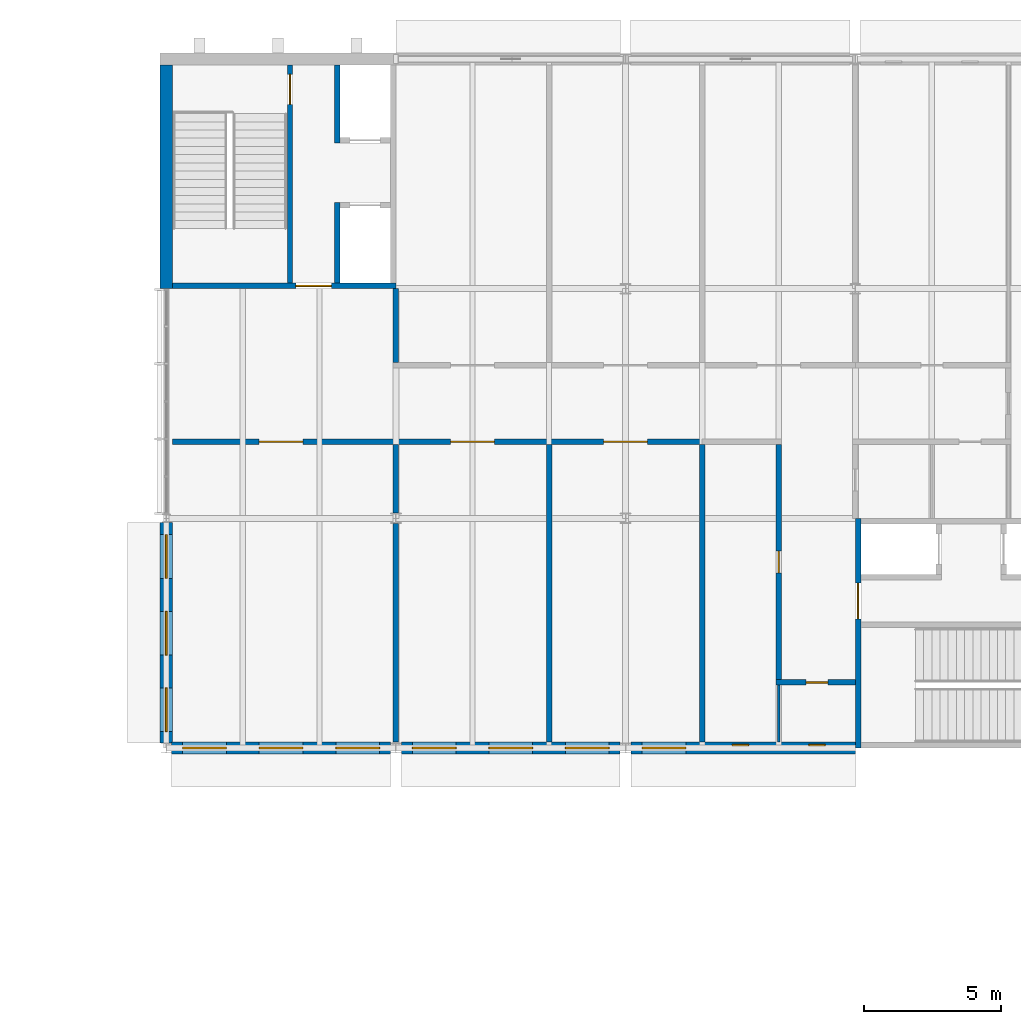
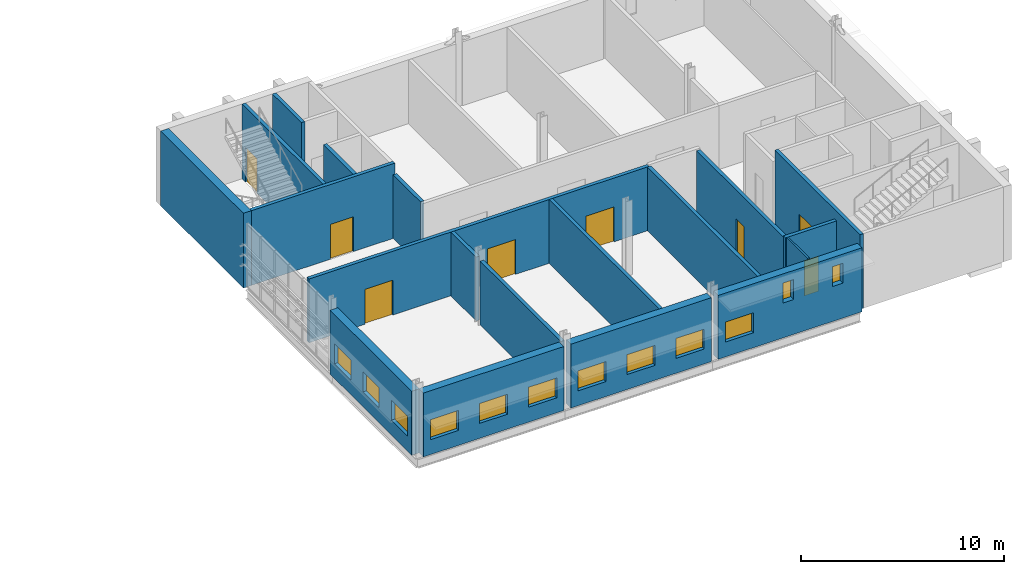
# One storey, part 29 of 42: 19 walls, 12 windows, 8 doors, 20 openings.
"""IFC4 building model written with IfcOpenShell, lengths in metres."""

from ifc_helpers import new_model, si_unit, direction, frame, frame_2d, origin, place, context, subcontext, project, spatial, rectangle, extrude, material, layer, layer_set, type_object, element, fill, save


model = new_model("IFC4")

# Units and contexts
model_context = context("Model", 3, precision=1e-05, world=origin(), true_north=direction((0.0, 1.0)))
body_context = subcontext(model_context, "Body", "Model", "MODEL_VIEW")
ifc_project = project(units=[si_unit("LENGTHUNIT", "METRE"), si_unit("AREAUNIT", "SQUARE_METRE"), si_unit("VOLUMEUNIT", "CUBIC_METRE"), si_unit("PLANEANGLEUNIT", "RADIAN"), si_unit("MASSUNIT", "GRAM", prefix="KILO")], contexts=[model_context])

# Site, building, storey
site_placement = place(None, origin())
site = spatial("IfcSite", under=ifc_project, at=site_placement, CompositionType="ELEMENT")
building_placement = place(site_placement, origin())
building = spatial("IfcBuilding", under=site, at=building_placement, Name="Ardhachandra Cancer Care Centre", CompositionType="ELEMENT")
storey_placement = place(building_placement, frame((0.0, 0.0, 22.5)))
storey = spatial("IfcBuildingStorey", under=building, at=storey_placement, Name="L05", CompositionType="ELEMENT", Elevation=22.5)

# Wall, openings, windows
ifc_material_1 = material(Name="Brick masonry (clay brick, cement mortar) with mineral wool cavity insulation", Category="masonry")
ifc_layer_1 = layer(ifc_material_1, 0.449951171875)
ifc_layer_set_1 = layer_set([ifc_layer_1], Name="Brick masonry (clay brick, cement mortar) with mineral wool cavity insulation")
wall_type_1 = type_object("IfcWallType", Name="Brick wall 450", PredefinedType="SOLIDWALL", material=ifc_layer_set_1)
wall_1_placement = place(storey_placement, frame((111.797607421875, 79.800048828125, 0.0), z_axis=(0.0, 0.0, 1.0), x_axis=(1.0, 0.0, 0.0)))
wall_1 = element("IfcWall", 1, at=wall_1_placement, inside=storey, type_object=wall_type_1, Name="E/wall/L05/s/0111600_0079800", PredefinedType="SOLIDWALL", context=body_context, shape_type="SweptSolid", body=[
    extrude(rectangle(XDim=8.0048828125, YDim=0.449951171875, at=frame_2d((4.00244140625, 0.0))), origin(), (0.0, 0.0, 1.0), 3.85009765625),
])
opening_1_placement = place(wall_1_placement, frame((0.402587890625, 0.0, 0.89990234375)))
opening_1 = element("IfcOpeningElement", 2, at=opening_1_placement, cuts=wall_1, Name="Opening W5", PredefinedType="OPENING", context=body_context, shape_type="SweptSolid", body=[
    extrude(rectangle(XDim=1.60009765625, YDim=1.199951171875, at=frame_2d((0.800048828125, 0.60009765625))), frame((0.0, 0.23486328125, 0.0), z_axis=(0.0, -1.0, 0.0), x_axis=(1.0, 0.0, 0.0)), (0.0, 0.0, 1.0), 0.469970703125),
])
opening_2_placement = place(wall_1_placement, frame((3.202392578125, 0.0, 0.89990234375)))
opening_2 = element("IfcOpeningElement", 3, at=opening_2_placement, cuts=wall_1, Name="Opening W5", PredefinedType="OPENING", context=body_context, shape_type="SweptSolid", body=[
    extrude(rectangle(XDim=1.60009765625, YDim=1.199951171875, at=frame_2d((0.800048828125, 0.60009765625))), frame((0.0, 0.23486328125, 0.0), z_axis=(0.0, -1.0, 0.0), x_axis=(1.0, 0.0, 0.0)), (0.0, 0.0, 1.0), 0.469970703125),
])
opening_3_placement = place(wall_1_placement, frame((6.00244140625, 0.0, 0.89990234375)))
opening_3 = element("IfcOpeningElement", 4, at=opening_3_placement, cuts=wall_1, Name="Opening W5", PredefinedType="OPENING", context=body_context, shape_type="SweptSolid", body=[
    extrude(rectangle(XDim=1.60009765625, YDim=1.199951171875, at=frame_2d((0.800048828125, 0.60009765625))), frame((0.0, 0.23486328125, 0.0), z_axis=(0.0, -1.0, 0.0), x_axis=(1.0, 0.0, 0.0)), (0.0, 0.0, 1.0), 0.469970703125),
])
ifc_material_2 = material(Name="Aluminium frame with double-glazed unit", Category="aluminium")
window_type_1 = type_object("IfcWindowType", Name="Plant louvre window 1600 x 1200", PartitioningType="SINGLE_PANEL", PredefinedType="WINDOW", material=ifc_material_2)
window_1_placement = place(opening_1_placement, origin())
window_1 = element("IfcWindow", 5, at=window_1_placement, inside=storey, type_object=window_type_1, Name="W5 window L05 s/0111600_0079800 1", OverallHeight=1.199951171875, OverallWidth=1.60009765625, PartitioningType="SINGLE_PANEL", PredefinedType="WINDOW", context=body_context, shape_type="SweptSolid", body=[
    extrude(rectangle(XDim=1.60009765625, YDim=1.199951171875, at=frame_2d((0.800048828125, 0.60009765625))), frame((0.0, 0.030029296875, 0.0), z_axis=(0.0, -1.0, 0.0), x_axis=(1.0, 0.0, 0.0)), (0.0, 0.0, 1.0), 0.06005859375),
])
fill(opening_1, window_1)
window_2_placement = place(opening_2_placement, origin())
window_2 = element("IfcWindow", 6, at=window_2_placement, inside=storey, type_object=window_type_1, Name="W5 window L05 s/0111600_0079800 2", OverallHeight=1.199951171875, OverallWidth=1.60009765625, PartitioningType="SINGLE_PANEL", PredefinedType="WINDOW", context=body_context, shape_type="SweptSolid", body=[
    extrude(rectangle(XDim=1.60009765625, YDim=1.199951171875, at=frame_2d((0.800048828125, 0.60009765625))), frame((0.0, 0.030029296875, 0.0), z_axis=(0.0, -1.0, 0.0), x_axis=(1.0, 0.0, 0.0)), (0.0, 0.0, 1.0), 0.06005859375),
])
fill(opening_2, window_2)
window_3_placement = place(opening_3_placement, origin())
window_3 = element("IfcWindow", 7, at=window_3_placement, inside=storey, type_object=window_type_1, Name="W5 window L05 s/0111600_0079800 3", OverallHeight=1.199951171875, OverallWidth=1.60009765625, PartitioningType="SINGLE_PANEL", PredefinedType="WINDOW", context=body_context, shape_type="SweptSolid", body=[
    extrude(rectangle(XDim=1.60009765625, YDim=1.199951171875, at=frame_2d((0.800048828125, 0.60009765625))), frame((0.0, 0.030029296875, 0.0), z_axis=(0.0, -1.0, 0.0), x_axis=(1.0, 0.0, 0.0)), (0.0, 0.0, 1.0), 0.06005859375),
])
fill(opening_3, window_3)

wall_2_placement = place(storey_placement, frame((120.197509765625, 79.800048828125, 0.0), z_axis=(0.0, 0.0, 1.0), x_axis=(1.0, 0.0, 0.0)))
wall_2 = element("IfcWall", 8, at=wall_2_placement, inside=storey, type_object=wall_type_1, Name="E/wall/L05/s/0120000_0079800", PredefinedType="SOLIDWALL", context=body_context, shape_type="SweptSolid", body=[
    extrude(rectangle(XDim=8.0048828125, YDim=0.449951171875, at=frame_2d((4.00244140625, 0.0))), origin(), (0.0, 0.0, 1.0), 3.85009765625),
])
opening_4_placement = place(wall_2_placement, frame((0.402587890625, 0.0, 0.89990234375)))
opening_4 = element("IfcOpeningElement", 9, at=opening_4_placement, cuts=wall_2, Name="Opening W5", PredefinedType="OPENING", context=body_context, shape_type="SweptSolid", body=[
    extrude(rectangle(XDim=1.60009765625, YDim=1.199951171875, at=frame_2d((0.800048828125, 0.60009765625))), frame((0.0, 0.23486328125, 0.0), z_axis=(0.0, -1.0, 0.0), x_axis=(1.0, 0.0, 0.0)), (0.0, 0.0, 1.0), 0.469970703125),
])
opening_5_placement = place(wall_2_placement, frame((3.202392578125, 0.0, 0.89990234375)))
opening_5 = element("IfcOpeningElement", 10, at=opening_5_placement, cuts=wall_2, Name="Opening W5", PredefinedType="OPENING", context=body_context, shape_type="SweptSolid", body=[
    extrude(rectangle(XDim=1.60009765625, YDim=1.199951171875, at=frame_2d((0.800048828125, 0.60009765625))), frame((0.0, 0.23486328125, 0.0), z_axis=(0.0, -1.0, 0.0), x_axis=(1.0, 0.0, 0.0)), (0.0, 0.0, 1.0), 0.469970703125),
])
opening_6_placement = place(wall_2_placement, frame((6.00244140625, 0.0, 0.89990234375)))
opening_6 = element("IfcOpeningElement", 11, at=opening_6_placement, cuts=wall_2, Name="Opening W5", PredefinedType="OPENING", context=body_context, shape_type="SweptSolid", body=[
    extrude(rectangle(XDim=1.60009765625, YDim=1.199951171875, at=frame_2d((0.800048828125, 0.60009765625))), frame((0.0, 0.23486328125, 0.0), z_axis=(0.0, -1.0, 0.0), x_axis=(1.0, 0.0, 0.0)), (0.0, 0.0, 1.0), 0.469970703125),
])
window_4_placement = place(opening_4_placement, origin())
window_4 = element("IfcWindow", 12, at=window_4_placement, inside=storey, type_object=window_type_1, Name="W5 window L05 s/0120000_0079800 1", OverallHeight=1.199951171875, OverallWidth=1.60009765625, PartitioningType="SINGLE_PANEL", PredefinedType="WINDOW", context=body_context, shape_type="SweptSolid", body=[
    extrude(rectangle(XDim=1.60009765625, YDim=1.199951171875, at=frame_2d((0.800048828125, 0.60009765625))), frame((0.0, 0.030029296875, 0.0), z_axis=(0.0, -1.0, 0.0), x_axis=(1.0, 0.0, 0.0)), (0.0, 0.0, 1.0), 0.06005859375),
])
fill(opening_4, window_4)
window_5_placement = place(opening_5_placement, origin())
window_5 = element("IfcWindow", 13, at=window_5_placement, inside=storey, type_object=window_type_1, Name="W5 window L05 s/0120000_0079800 2", OverallHeight=1.199951171875, OverallWidth=1.60009765625, PartitioningType="SINGLE_PANEL", PredefinedType="WINDOW", context=body_context, shape_type="SweptSolid", body=[
    extrude(rectangle(XDim=1.60009765625, YDim=1.199951171875, at=frame_2d((0.800048828125, 0.60009765625))), frame((0.0, 0.030029296875, 0.0), z_axis=(0.0, -1.0, 0.0), x_axis=(1.0, 0.0, 0.0)), (0.0, 0.0, 1.0), 0.06005859375),
])
fill(opening_5, window_5)
window_6_placement = place(opening_6_placement, origin())
window_6 = element("IfcWindow", 14, at=window_6_placement, inside=storey, type_object=window_type_1, Name="W5 window L05 s/0120000_0079800 3", OverallHeight=1.199951171875, OverallWidth=1.60009765625, PartitioningType="SINGLE_PANEL", PredefinedType="WINDOW", context=body_context, shape_type="SweptSolid", body=[
    extrude(rectangle(XDim=1.60009765625, YDim=1.199951171875, at=frame_2d((0.800048828125, 0.60009765625))), frame((0.0, 0.030029296875, 0.0), z_axis=(0.0, -1.0, 0.0), x_axis=(1.0, 0.0, 0.0)), (0.0, 0.0, 1.0), 0.06005859375),
])
fill(opening_6, window_6)

wall_3_placement = place(storey_placement, frame((128.597412109375, 79.800048828125, 0.0), z_axis=(0.0, 0.0, 1.0), x_axis=(1.0, 0.0, 0.0)))
wall_3 = element("IfcWall", 15, at=wall_3_placement, inside=storey, type_object=wall_type_1, Name="E/wall/L05/s/0128400_0079800", PredefinedType="SOLIDWALL", context=body_context, shape_type="SweptSolid", body=[
    extrude(rectangle(XDim=8.20263671875, YDim=0.449951171875, at=frame_2d((4.101318359375, 0.0))), origin(), (0.0, 0.0, 1.0), 3.85009765625),
])
opening_7_placement = place(wall_3_placement, frame((0.402587890625, 0.0, 0.89990234375)))
opening_7 = element("IfcOpeningElement", 16, at=opening_7_placement, cuts=wall_3, Name="Opening W5", PredefinedType="OPENING", context=body_context, shape_type="SweptSolid", body=[
    extrude(rectangle(XDim=1.60009765625, YDim=1.199951171875, at=frame_2d((0.800048828125, 0.60009765625))), frame((0.0, 0.23486328125, 0.0), z_axis=(0.0, -1.0, 0.0), x_axis=(1.0, 0.0, 0.0)), (0.0, 0.0, 1.0), 0.469970703125),
])
opening_8_placement = place(wall_3_placement, frame((3.702392578125, 0.0, 2.10009765625)))
opening_8 = element("IfcOpeningElement", 17, at=opening_8_placement, cuts=wall_3, Name="Opening W4", PredefinedType="OPENING", context=body_context, shape_type="SweptSolid", body=[
    extrude(rectangle(XDim=0.60009765625, YDim=1.199951171875, at=frame_2d((0.300048828125, 0.60009765625))), frame((0.0, 0.23486328125, 0.0), z_axis=(0.0, -1.0, 0.0), x_axis=(1.0, 0.0, 0.0)), (0.0, 0.0, 1.0), 0.469970703125),
])
opening_9_placement = place(wall_3_placement, frame((6.50244140625, 0.0, 2.10009765625)))
opening_9 = element("IfcOpeningElement", 18, at=opening_9_placement, cuts=wall_3, Name="Opening W4", PredefinedType="OPENING", context=body_context, shape_type="SweptSolid", body=[
    extrude(rectangle(XDim=0.60009765625, YDim=1.199951171875, at=frame_2d((0.300048828125, 0.60009765625))), frame((0.0, 0.23486328125, 0.0), z_axis=(0.0, -1.0, 0.0), x_axis=(1.0, 0.0, 0.0)), (0.0, 0.0, 1.0), 0.469970703125),
])
window_7_placement = place(opening_7_placement, origin())
window_7 = element("IfcWindow", 19, at=window_7_placement, inside=storey, type_object=window_type_1, Name="W5 window L05 s/0128400_0079800 1", OverallHeight=1.199951171875, OverallWidth=1.60009765625, PartitioningType="SINGLE_PANEL", PredefinedType="WINDOW", context=body_context, shape_type="SweptSolid", body=[
    extrude(rectangle(XDim=1.60009765625, YDim=1.199951171875, at=frame_2d((0.800048828125, 0.60009765625))), frame((0.0, 0.030029296875, 0.0), z_axis=(0.0, -1.0, 0.0), x_axis=(1.0, 0.0, 0.0)), (0.0, 0.0, 1.0), 0.06005859375),
])
fill(opening_7, window_7)
ifc_material_3 = material(Name="Aluminium frame with double-glazed unit", Category="aluminium")
window_type_2 = type_object("IfcWindowType", Name="Slot window 600 x 1200", PartitioningType="SINGLE_PANEL", PredefinedType="WINDOW", material=ifc_material_3)
window_8_placement = place(opening_8_placement, origin())
window_8 = element("IfcWindow", 20, at=window_8_placement, inside=storey, type_object=window_type_2, Name="W4 window L05 s/0128400_0079800 2", OverallHeight=1.199951171875, OverallWidth=0.60009765625, PartitioningType="SINGLE_PANEL", PredefinedType="WINDOW", context=body_context, shape_type="SweptSolid", body=[
    extrude(rectangle(XDim=0.60009765625, YDim=1.199951171875, at=frame_2d((0.300048828125, 0.60009765625))), frame((0.0, 0.135009765625, 0.0), z_axis=(0.0, -1.0, 0.0), x_axis=(1.0, 0.0, 0.0)), (0.0, 0.0, 1.0), 0.06005859375),
])
fill(opening_8, window_8)
window_9_placement = place(opening_9_placement, origin())
window_9 = element("IfcWindow", 21, at=window_9_placement, inside=storey, type_object=window_type_2, Name="W4 window L05 s/0128400_0079800 3", OverallHeight=1.199951171875, OverallWidth=0.60009765625, PartitioningType="SINGLE_PANEL", PredefinedType="WINDOW", context=body_context, shape_type="SweptSolid", body=[
    extrude(rectangle(XDim=0.60009765625, YDim=1.199951171875, at=frame_2d((0.300048828125, 0.60009765625))), frame((0.0, 0.135009765625, 0.0), z_axis=(0.0, -1.0, 0.0), x_axis=(1.0, 0.0, 0.0)), (0.0, 0.0, 1.0), 0.06005859375),
])
fill(opening_9, window_9)

wall_4_placement = place(storey_placement, frame((111.60009765625, 79.989990234375, 0.0), z_axis=(0.0, 0.0, 1.0), x_axis=(0.0, 1.0, 0.0)))
wall_4 = element("IfcWall", 22, at=wall_4_placement, inside=storey, type_object=wall_type_1, Name="E/wall/L05/w/0111600_0079800", PredefinedType="SOLIDWALL", context=body_context, shape_type="SweptSolid", body=[
    extrude(rectangle(XDim=8.06005859375, YDim=0.449951171875, at=frame_2d((4.030029296875, 0.0))), origin(), (0.0, 0.0, 1.0), 3.85009765625),
])
opening_10_placement = place(wall_4_placement, frame((0.409912109375, 0.0, 0.89990234375)))
opening_10 = element("IfcOpeningElement", 23, at=opening_10_placement, cuts=wall_4, Name="Opening W5", PredefinedType="OPENING", context=body_context, shape_type="SweptSolid", body=[
    extrude(rectangle(XDim=1.60009765625, YDim=1.199951171875, at=frame_2d((0.800048828125, 0.60009765625))), frame((0.0, 0.23486328125, 0.0), z_axis=(0.0, -1.0, 0.0), x_axis=(1.0, 0.0, 0.0)), (0.0, 0.0, 1.0), 0.469970703125),
])
opening_11_placement = place(wall_4_placement, frame((3.2099609375, 0.0, 0.89990234375)))
opening_11 = element("IfcOpeningElement", 24, at=opening_11_placement, cuts=wall_4, Name="Opening W5", PredefinedType="OPENING", context=body_context, shape_type="SweptSolid", body=[
    extrude(rectangle(XDim=1.60009765625, YDim=1.199951171875, at=frame_2d((0.800048828125, 0.60009765625))), frame((0.0, 0.23486328125, 0.0), z_axis=(0.0, -1.0, 0.0), x_axis=(1.0, 0.0, 0.0)), (0.0, 0.0, 1.0), 0.469970703125),
])
opening_12_placement = place(wall_4_placement, frame((6.010009765625, 0.0, 0.89990234375)))
opening_12 = element("IfcOpeningElement", 25, at=opening_12_placement, cuts=wall_4, Name="Opening W5", PredefinedType="OPENING", context=body_context, shape_type="SweptSolid", body=[
    extrude(rectangle(XDim=1.60009765625, YDim=1.199951171875, at=frame_2d((0.800048828125, 0.60009765625))), frame((0.0, 0.23486328125, 0.0), z_axis=(0.0, -1.0, 0.0), x_axis=(1.0, 0.0, 0.0)), (0.0, 0.0, 1.0), 0.469970703125),
])
window_10_placement = place(opening_10_placement, origin())
window_10 = element("IfcWindow", 26, at=window_10_placement, inside=storey, type_object=window_type_1, Name="W5 window L05 w/0111600_0079800 1", OverallHeight=1.199951171875, OverallWidth=1.60009765625, PartitioningType="SINGLE_PANEL", PredefinedType="WINDOW", context=body_context, shape_type="SweptSolid", body=[
    extrude(rectangle(XDim=1.60009765625, YDim=1.199951171875, at=frame_2d((0.800048828125, 0.60009765625))), frame((0.0, 0.030029296875, 0.0), z_axis=(0.0, -1.0, 0.0), x_axis=(1.0, 0.0, 0.0)), (0.0, 0.0, 1.0), 0.06005859375),
])
fill(opening_10, window_10)
window_11_placement = place(opening_11_placement, origin())
window_11 = element("IfcWindow", 27, at=window_11_placement, inside=storey, type_object=window_type_1, Name="W5 window L05 w/0111600_0079800 2", OverallHeight=1.199951171875, OverallWidth=1.60009765625, PartitioningType="SINGLE_PANEL", PredefinedType="WINDOW", context=body_context, shape_type="SweptSolid", body=[
    extrude(rectangle(XDim=1.60009765625, YDim=1.199951171875, at=frame_2d((0.800048828125, 0.60009765625))), frame((0.0, 0.030029296875, 0.0), z_axis=(0.0, -1.0, 0.0), x_axis=(1.0, 0.0, 0.0)), (0.0, 0.0, 1.0), 0.06005859375),
])
fill(opening_11, window_11)
window_12_placement = place(opening_12_placement, origin())
window_12 = element("IfcWindow", 28, at=window_12_placement, inside=storey, type_object=window_type_1, Name="W5 window L05 w/0111600_0079800 3", OverallHeight=1.199951171875, OverallWidth=1.60009765625, PartitioningType="SINGLE_PANEL", PredefinedType="WINDOW", context=body_context, shape_type="SweptSolid", body=[
    extrude(rectangle(XDim=1.60009765625, YDim=1.199951171875, at=frame_2d((0.800048828125, 0.60009765625))), frame((0.0, 0.030029296875, 0.0), z_axis=(0.0, -1.0, 0.0), x_axis=(1.0, 0.0, 0.0)), (0.0, 0.0, 1.0), 0.06005859375),
])
fill(opening_12, window_12)

# Wall, opening, door
ifc_material_4 = material(Name="Gypsum board corridor partition on steel studs", Category="steel")
ifc_layer_2 = layer(ifc_material_4, 0.199951171875)
ifc_layer_set_2 = layer_set([ifc_layer_2], Name="Gypsum board corridor partition on steel studs")
wall_type_2 = type_object("IfcWallType", Name="CORRIDOR WALL 200", PredefinedType="PARTITIONING", material=ifc_layer_set_2)
wall_5_placement = place(storey_placement, frame((133.89990234375, 82.199951171875, 0.0), z_axis=(0.0, 0.0, 1.0), x_axis=(1.0, 0.0, 0.0)))
wall_5 = element("IfcWall", 29, at=wall_5_placement, inside=storey, type_object=wall_type_2, Name="R/wall/L05/h0082200_0133900", PredefinedType="PARTITIONING", context=body_context, shape_type="SweptSolid", body=[
    extrude(rectangle(XDim=2.900146484375, YDim=0.199951171875, at=frame_2d((1.4501953125, 0.0))), origin(), (0.0, 0.0, 1.0), 3.93603515625),
])
opening_13_placement = place(wall_5_placement, frame((1.10009765625, 0.0, 0.0)))
opening_13 = element("IfcOpeningElement", 30, at=opening_13_placement, cuts=wall_5, Name="Opening L05-0001", PredefinedType="OPENING", context=body_context, shape_type="SweptSolid", body=[
    extrude(rectangle(XDim=0.800048828125, YDim=2.10009765625, at=frame_2d((0.39990234375, 1.050048828125))), frame((0.0, 0.10986328125, 0.0), z_axis=(0.0, -1.0, 0.0), x_axis=(1.0, 0.0, 0.0)), (0.0, 0.0, 1.0), 0.219970703125),
])
ifc_material_5 = material(Name="Timber flush fire door", Category="wood")
door_type_1 = type_object("IfcDoorType", Name="STORE DOOR 800x2100 FD30S", OperationType="NOTDEFINED", PredefinedType="DOOR", material=ifc_material_5)
door_1_placement = place(opening_13_placement, origin())
door_1 = element("IfcDoor", 31, at=door_1_placement, inside=storey, type_object=door_type_1, Name="Door L05-0001", OperationType="SINGLE_SWING_RIGHT", OverallHeight=2.10009765625, OverallWidth=0.800048828125, PredefinedType="DOOR", context=body_context, shape_type="SweptSolid", body=[
    extrude(rectangle(XDim=0.800048828125, YDim=2.10009765625, at=frame_2d((0.39990234375, 1.050048828125))), frame((0.0, 0.02490234375, 0.0), z_axis=(0.0, -1.0, 0.0), x_axis=(1.0, 0.0, 0.0)), (0.0, 0.0, 1.0), 0.050048828125),
])
fill(opening_13, door_1)

wall_6_placement = place(storey_placement, frame((134.0, 82.300048828125, 0.0), z_axis=(0.0, 0.0, 1.0), x_axis=(0.0, 1.0, 0.0)))
wall_6 = element("IfcWall", 32, at=wall_6_placement, inside=storey, type_object=wall_type_2, Name="R/wall/L05/v0134000_0082300", PredefinedType="PARTITIONING", context=body_context, shape_type="SweptSolid", body=[
    extrude(rectangle(XDim=8.599853515625, YDim=0.199951171875, at=frame_2d((4.2998046875, 0.0))), origin(), (0.0, 0.0, 1.0), 3.843994140625),
])
opening_14_placement = place(wall_6_placement, frame((3.89990234375, 0.0, 0.0)))
opening_14 = element("IfcOpeningElement", 33, at=opening_14_placement, cuts=wall_6, Name="Opening L05-0010", PredefinedType="OPENING", context=body_context, shape_type="SweptSolid", body=[
    extrude(rectangle(XDim=0.800048828125, YDim=2.10009765625, at=frame_2d((0.39990234375, 1.050048828125))), frame((0.0, 0.10986328125, 0.0), z_axis=(0.0, -1.0, 0.0), x_axis=(1.0, 0.0, 0.0)), (0.0, 0.0, 1.0), 0.219970703125),
])
door_2_placement = place(opening_14_placement, origin())
door_2 = element("IfcDoor", 34, at=door_2_placement, inside=storey, type_object=door_type_1, Name="Door L05-0010", OperationType="SINGLE_SWING_RIGHT", OverallHeight=2.10009765625, OverallWidth=0.800048828125, PredefinedType="DOOR", context=body_context, shape_type="SweptSolid", body=[
    extrude(rectangle(XDim=0.800048828125, YDim=2.10009765625, at=frame_2d((0.39990234375, 1.050048828125))), frame((0.0, 0.02490234375, 0.0), z_axis=(0.0, -1.0, 0.0), x_axis=(1.0, 0.0, 0.0)), (0.0, 0.0, 1.0), 0.050048828125),
])
fill(opening_14, door_2)

# Wall
ifc_material_6 = material(Name="Concrete M40", Category="concrete")
ifc_layer_3 = layer(ifc_material_6, 0.449951171875)
ifc_layer_set_3 = layer_set([ifc_layer_3], Name="Concrete M40")
wall_type_3 = type_object("IfcWallType", Name="Core exterior wall RC 450", PredefinedType="SOLIDWALL", material=ifc_layer_set_3)
wall_7_placement = place(storey_placement, frame((111.60009765625, 96.60009765625, 0.0), z_axis=(0.0, 0.0, 1.0), x_axis=(0.0, 1.0, 0.0)))
element("IfcWall", 35, at=wall_7_placement, inside=storey, type_object=wall_type_3, Name="Core wall K12 UW", PredefinedType="SOLIDWALL", context=body_context, shape_type="SweptSolid", body=[
    extrude(rectangle(XDim=8.1748046875, YDim=0.449951171875, at=frame_2d((4.08740234375, 0.0))), origin(), (0.0, 0.0, 1.0), 4.5),
])

# Wall, opening, door
ifc_material_7 = material(Name="Concrete M40", Category="concrete")
ifc_layer_4 = layer(ifc_material_7, 0.199951171875)
ifc_layer_set_4 = layer_set([ifc_layer_4], Name="Concrete M40")
wall_type_4 = type_object("IfcWallType", Name="Core wall RC 200", PredefinedType="SOLIDWALL", material=ifc_layer_set_4)
wall_8_placement = place(storey_placement, frame((111.824951171875, 96.699951171875, 0.0), z_axis=(0.0, 0.0, 1.0), x_axis=(1.0, 0.0, 0.0)))
wall_8 = element("IfcWall", 36, at=wall_8_placement, inside=storey, type_object=wall_type_4, Name="Core wall K12 ENT", PredefinedType="SOLIDWALL", context=body_context, shape_type="SweptSolid", body=[
    extrude(rectangle(XDim=8.175048828125, YDim=0.199951171875, at=frame_2d((4.08740234375, 0.0))), origin(), (0.0, 0.0, 1.0), 4.5),
])
opening_15_placement = place(wall_8_placement, frame((4.512451171875, 0.0, 0.0)))
opening_15 = element("IfcOpeningElement", 37, at=opening_15_placement, cuts=wall_8, Name="Opening L05-K12-1", PredefinedType="OPENING", context=body_context, shape_type="SweptSolid", body=[
    extrude(rectangle(XDim=1.300048828125, YDim=2.10009765625, at=frame_2d((0.64990234375, 1.050048828125))), frame((0.0, 0.10986328125, 0.0), z_axis=(0.0, -1.0, 0.0), x_axis=(1.0, 0.0, 0.0)), (0.0, 0.0, 1.0), 0.219970703125),
])
ifc_material_8 = material(Name="Steel door set", Category="steel")
door_type_2 = type_object("IfcDoorType", Name="Core entry double door 1300x2100 FD60", OperationType="DOUBLE_DOOR_DOUBLE_SWING", PredefinedType="DOOR", material=ifc_material_8)
door_3_placement = place(opening_15_placement, origin())
door_3 = element("IfcDoor", 38, at=door_3_placement, inside=storey, type_object=door_type_2, Name="Core entry door", OperationType="DOUBLE_DOOR_DOUBLE_SWING", OverallHeight=2.10009765625, OverallWidth=1.300048828125, PredefinedType="DOOR", context=body_context, shape_type="SweptSolid", body=[
    extrude(rectangle(XDim=1.300048828125, YDim=2.10009765625, at=frame_2d((0.64990234375, 1.050048828125))), frame((0.0, 0.02490234375, 0.0), z_axis=(0.0, -1.0, 0.0), x_axis=(1.0, 0.0, 0.0)), (0.0, 0.0, 1.0), 0.050048828125),
])
fill(opening_15, door_3)

wall_9_placement = place(storey_placement, frame((116.125, 96.800048828125, 0.0), z_axis=(0.0, 0.0, 1.0), x_axis=(0.0, 1.0, 0.0)))
wall_9 = element("IfcWall", 39, at=wall_9_placement, inside=storey, type_object=wall_type_4, Name="Core wall K12 P1", PredefinedType="SOLIDWALL", context=body_context, shape_type="SweptSolid", body=[
    extrude(rectangle(XDim=7.974853515625, YDim=0.199951171875, at=frame_2d((3.9873046875, 0.0))), origin(), (0.0, 0.0, 1.0), 4.5),
])
opening_16_placement = place(wall_9_placement, frame((6.53759765625, 0.0, 0.0)))
opening_16 = element("IfcOpeningElement", 40, at=opening_16_placement, cuts=wall_9, Name="Opening L05-K12-2", PredefinedType="OPENING", context=body_context, shape_type="SweptSolid", body=[
    extrude(rectangle(XDim=1.10009765625, YDim=2.10009765625, at=frame_2d((0.550048828125, 1.050048828125))), frame((0.0, 0.10986328125, 0.0), z_axis=(0.0, -1.0, 0.0), x_axis=(1.0, 0.0, 0.0)), (0.0, 0.0, 1.0), 0.219970703125),
])
ifc_material_9 = material(Name="Steel door set", Category="steel")
door_type_3 = type_object("IfcDoorType", Name="Stair door 1100x2100 FD60S", OperationType="NOTDEFINED", PredefinedType="DOOR", material=ifc_material_9)
door_4_placement = place(opening_16_placement, origin())
door_4 = element("IfcDoor", 41, at=door_4_placement, inside=storey, type_object=door_type_3, Name="Stair door", OperationType="SINGLE_SWING_RIGHT", OverallHeight=2.10009765625, OverallWidth=1.10009765625, PredefinedType="DOOR", context=body_context, shape_type="SweptSolid", body=[
    extrude(rectangle(XDim=1.10009765625, YDim=2.10009765625, at=frame_2d((0.550048828125, 1.050048828125))), frame((0.0, 0.02490234375, 0.0), z_axis=(0.0, -1.0, 0.0), x_axis=(1.0, 0.0, 0.0)), (0.0, 0.0, 1.0), 0.050048828125),
])
fill(opening_16, door_4)

# Walls
wall_10_placement = place(storey_placement, frame((117.85009765625, 96.800048828125, 0.0), z_axis=(0.0, 0.0, 1.0), x_axis=(0.0, 1.0, 0.0)))
element("IfcWall", 42, at=wall_10_placement, inside=storey, type_object=wall_type_4, Name="Core wall K12 P2A", PredefinedType="SOLIDWALL", context=body_context, shape_type="SweptSolid", body=[
    extrude(rectangle(XDim=2.949951171875, YDim=0.199951171875, at=frame_2d((1.47509765625, 0.0))), origin(), (0.0, 0.0, 1.0), 4.5),
])
wall_11_placement = place(storey_placement, frame((117.85009765625, 101.925048828125, 0.0), z_axis=(0.0, 0.0, 1.0), x_axis=(0.0, 1.0, 0.0)))
element("IfcWall", 43, at=wall_11_placement, inside=storey, type_object=wall_type_4, Name="Core wall K12 P2B", PredefinedType="SOLIDWALL", context=body_context, shape_type="SweptSolid", body=[
    extrude(rectangle(XDim=2.849853515625, YDim=0.199951171875, at=frame_2d((1.4248046875, 0.0))), origin(), (0.0, 0.0, 1.0), 4.5),
])

# Wall, opening, door
wall_12_placement = place(storey_placement, frame((136.89990234375, 79.800048828125, 0.0), z_axis=(0.0, 0.0, 1.0), x_axis=(0.0, 1.0, 0.0)))
wall_12 = element("IfcWall", 44, at=wall_12_placement, inside=storey, type_object=wall_type_4, Name="Core wall K13 ENT", PredefinedType="SOLIDWALL", context=body_context, shape_type="SweptSolid", body=[
    extrude(rectangle(XDim=8.39990234375, YDim=0.199951171875, at=frame_2d((4.199951171875, 0.0))), origin(), (0.0, 0.0, 1.0), 4.5),
])
opening_17_placement = place(wall_12_placement, frame((4.72509765625, 0.0, 0.0)))
opening_17 = element("IfcOpeningElement", 45, at=opening_17_placement, cuts=wall_12, Name="Opening L05-K13-1", PredefinedType="OPENING", context=body_context, shape_type="SweptSolid", body=[
    extrude(rectangle(XDim=1.300048828125, YDim=2.10009765625, at=frame_2d((0.64990234375, 1.050048828125))), frame((0.0, 0.10986328125, 0.0), z_axis=(0.0, -1.0, 0.0), x_axis=(1.0, 0.0, 0.0)), (0.0, 0.0, 1.0), 0.219970703125),
])
door_5_placement = place(opening_17_placement, origin())
door_5 = element("IfcDoor", 46, at=door_5_placement, inside=storey, type_object=door_type_2, Name="Core entry door", OperationType="DOUBLE_DOOR_DOUBLE_SWING", OverallHeight=2.10009765625, OverallWidth=1.300048828125, PredefinedType="DOOR", context=body_context, shape_type="SweptSolid", body=[
    extrude(rectangle(XDim=1.300048828125, YDim=2.10009765625, at=frame_2d((0.64990234375, 1.050048828125))), frame((0.0, 0.02490234375, 0.0), z_axis=(0.0, -1.0, 0.0), x_axis=(1.0, 0.0, 0.0)), (0.0, 0.0, 1.0), 0.050048828125),
])
fill(opening_17, door_5)

# Wall, openings, doors
ifc_material_10 = material(Name="Brick masonry", Category="masonry")
ifc_layer_5 = layer(ifc_material_10, 0.199951171875)
ifc_layer_set_5 = layer_set([ifc_layer_5], Name="Brick masonry")
wall_type_5 = type_object("IfcWallType", Name="PLANT ROOM WALL 200", PredefinedType="SOLIDWALL", material=ifc_layer_set_5)
wall_13_placement = place(storey_placement, frame((111.824951171875, 91.0, 0.0), z_axis=(0.0, 0.0, 1.0), x_axis=(1.0, 0.0, 0.0)))
wall_13 = element("IfcWall", 47, at=wall_13_placement, inside=storey, type_object=wall_type_5, Name="R/wall/L05/h0091000_0111825", PredefinedType="SOLIDWALL", context=body_context, shape_type="SweptSolid", body=[
    extrude(rectangle(XDim=19.375, YDim=0.199951171875, at=frame_2d((9.6875, 0.0))), origin(), (0.0, 0.0, 1.0), 3.843994140625),
])
opening_18_placement = place(wall_13_placement, frame((3.175048828125, 0.0, 0.0)))
opening_18 = element("IfcOpeningElement", 48, at=opening_18_placement, cuts=wall_13, Name="Opening L05-0002", PredefinedType="OPENING", context=body_context, shape_type="SweptSolid", body=[
    extrude(rectangle(XDim=1.60009765625, YDim=2.10009765625, at=frame_2d((0.800048828125, 1.050048828125))), frame((0.0, 0.10986328125, 0.0), z_axis=(0.0, -1.0, 0.0), x_axis=(1.0, 0.0, 0.0)), (0.0, 0.0, 1.0), 0.219970703125),
])
opening_19_placement = place(wall_13_placement, frame((10.175048828125, 0.0, 0.0)))
opening_19 = element("IfcOpeningElement", 49, at=opening_19_placement, cuts=wall_13, Name="Opening L05-0003", PredefinedType="OPENING", context=body_context, shape_type="SweptSolid", body=[
    extrude(rectangle(XDim=1.60009765625, YDim=2.10009765625, at=frame_2d((0.800048828125, 1.050048828125))), frame((0.0, 0.10986328125, 0.0), z_axis=(0.0, -1.0, 0.0), x_axis=(1.0, 0.0, 0.0)), (0.0, 0.0, 1.0), 0.219970703125),
])
opening_20_placement = place(wall_13_placement, frame((15.77490234375, 0.0, 0.0)))
opening_20 = element("IfcOpeningElement", 50, at=opening_20_placement, cuts=wall_13, Name="Opening L05-0004", PredefinedType="OPENING", context=body_context, shape_type="SweptSolid", body=[
    extrude(rectangle(XDim=1.60009765625, YDim=2.10009765625, at=frame_2d((0.800048828125, 1.050048828125))), frame((0.0, 0.10986328125, 0.0), z_axis=(0.0, -1.0, 0.0), x_axis=(1.0, 0.0, 0.0)), (0.0, 0.0, 1.0), 0.219970703125),
])
ifc_material_11 = material(Name="Steel fire door", Category="steel")
door_type_4 = type_object("IfcDoorType", Name="PLANT ROOM DOOR 1600x2100 FD60", OperationType="NOTDEFINED", PredefinedType="DOOR", material=ifc_material_11)
door_6_placement = place(opening_18_placement, origin())
door_6 = element("IfcDoor", 51, at=door_6_placement, inside=storey, type_object=door_type_4, Name="Door L05-0002", OperationType="DOUBLE_DOOR_SINGLE_SWING", OverallHeight=2.10009765625, OverallWidth=1.60009765625, PredefinedType="DOOR", context=body_context, shape_type="SweptSolid", body=[
    extrude(rectangle(XDim=1.60009765625, YDim=2.10009765625, at=frame_2d((0.800048828125, 1.050048828125))), frame((0.0, 0.02490234375, 0.0), z_axis=(0.0, -1.0, 0.0), x_axis=(1.0, 0.0, 0.0)), (0.0, 0.0, 1.0), 0.050048828125),
])
fill(opening_18, door_6)
door_7_placement = place(opening_19_placement, origin())
door_7 = element("IfcDoor", 52, at=door_7_placement, inside=storey, type_object=door_type_4, Name="Door L05-0003", OperationType="DOUBLE_DOOR_SINGLE_SWING", OverallHeight=2.10009765625, OverallWidth=1.60009765625, PredefinedType="DOOR", context=body_context, shape_type="SweptSolid", body=[
    extrude(rectangle(XDim=1.60009765625, YDim=2.10009765625, at=frame_2d((0.800048828125, 1.050048828125))), frame((0.0, 0.02490234375, 0.0), z_axis=(0.0, -1.0, 0.0), x_axis=(1.0, 0.0, 0.0)), (0.0, 0.0, 1.0), 0.050048828125),
])
fill(opening_19, door_7)
door_8_placement = place(opening_20_placement, origin())
door_8 = element("IfcDoor", 53, at=door_8_placement, inside=storey, type_object=door_type_4, Name="Door L05-0004", OperationType="DOUBLE_DOOR_SINGLE_SWING", OverallHeight=2.10009765625, OverallWidth=1.60009765625, PredefinedType="DOOR", context=body_context, shape_type="SweptSolid", body=[
    extrude(rectangle(XDim=1.60009765625, YDim=2.10009765625, at=frame_2d((0.800048828125, 1.050048828125))), frame((0.0, 0.02490234375, 0.0), z_axis=(0.0, -1.0, 0.0), x_axis=(1.0, 0.0, 0.0)), (0.0, 0.0, 1.0), 0.050048828125),
])
fill(opening_20, door_8)

# Walls
wall_14_placement = place(storey_placement, frame((120.0, 80.02490234375, 0.0), z_axis=(0.0, 0.0, 1.0), x_axis=(0.0, 1.0, 0.0)))
element("IfcWall", 54, at=wall_14_placement, inside=storey, type_object=wall_type_5, Name="R/wall/L05/v0120000_0080025", PredefinedType="SOLIDWALL", context=body_context, shape_type="SweptSolid", body=[
    extrude(rectangle(XDim=7.9775390625, YDim=0.199951171875, at=frame_2d((3.98876953125, 0.0))), origin(), (0.0, 0.0, 1.0), 3.843994140625),
])
wall_15_placement = place(storey_placement, frame((120.0, 88.3974609375, 0.0), z_axis=(0.0, 0.0, 1.0), x_axis=(0.0, 1.0, 0.0)))
element("IfcWall", 55, at=wall_15_placement, inside=storey, type_object=wall_type_5, Name="R/wall/L05/v0120000_0088398", PredefinedType="SOLIDWALL", context=body_context, shape_type="SweptSolid", body=[
    extrude(rectangle(XDim=2.50244140625, YDim=0.199951171875, at=frame_2d((1.251220703125, 0.0))), origin(), (0.0, 0.0, 1.0), 3.843994140625),
])
wall_16_placement = place(storey_placement, frame((120.0, 93.89990234375, 0.0), z_axis=(0.0, 0.0, 1.0), x_axis=(0.0, 1.0, 0.0)))
element("IfcWall", 56, at=wall_16_placement, inside=storey, type_object=wall_type_5, Name="R/wall/L05/v0120000_0093900", PredefinedType="SOLIDWALL", context=body_context, shape_type="SweptSolid", body=[
    extrude(rectangle(XDim=2.7001953125, YDim=0.199951171875, at=frame_2d((1.35009765625, 0.0))), origin(), (0.0, 0.0, 1.0), 3.843994140625),
])
for number, where, z_axis, x_axis, name in (
    (57, (125.60009765625, 80.02490234375, 0.0), (0.0, 0.0, 1.0), (0.0, 1.0, 0.0), "R/wall/L05/v0125600_0080025"),
    (58, (131.199951171875, 80.02490234375, 0.0), (0.0, 0.0, 1.0), (0.0, 1.0, 0.0), "R/wall/L05/v0131200_0080025"),
):
    element("IfcWall", number, at=place(storey_placement, frame(where, z_axis=z_axis, x_axis=x_axis)), inside=storey, type_object=wall_type_5, Name=name, PredefinedType="SOLIDWALL", context=body_context, shape_type="SweptSolid", body=[
        extrude(rectangle(XDim=10.875, YDim=0.199951171875, at=frame_2d((5.4375, 0.0))), origin(), (0.0, 0.0, 1.0), 3.843994140625),
    ])
ifc_material_12 = material(Name="Concrete block masonry", Category="masonry")
ifc_layer_6 = layer(ifc_material_12, 0.10009765625)
ifc_layer_set_6 = layer_set([ifc_layer_6], Name="Concrete block masonry")
wall_type_6 = type_object("IfcWallType", Name="STORE PARTITION 100", PredefinedType="SOLIDWALL", material=ifc_layer_set_6)
wall_17_placement = place(storey_placement, frame((134.0, 80.02490234375, 0.0), z_axis=(0.0, 0.0, 1.0), x_axis=(0.0, 1.0, 0.0)))
element("IfcWall", 59, at=wall_17_placement, inside=storey, type_object=wall_type_6, Name="R/wall/L05/v0134000_0080025", PredefinedType="SOLIDWALL", context=body_context, shape_type="SweptSolid", body=[
    extrude(rectangle(XDim=2.0751953125, YDim=0.10009765625, at=frame_2d((1.03759765625, 0.0))), origin(), (0.0, 0.0, 1.0), 3.93603515625),
])

save(model, "model.ifc")
